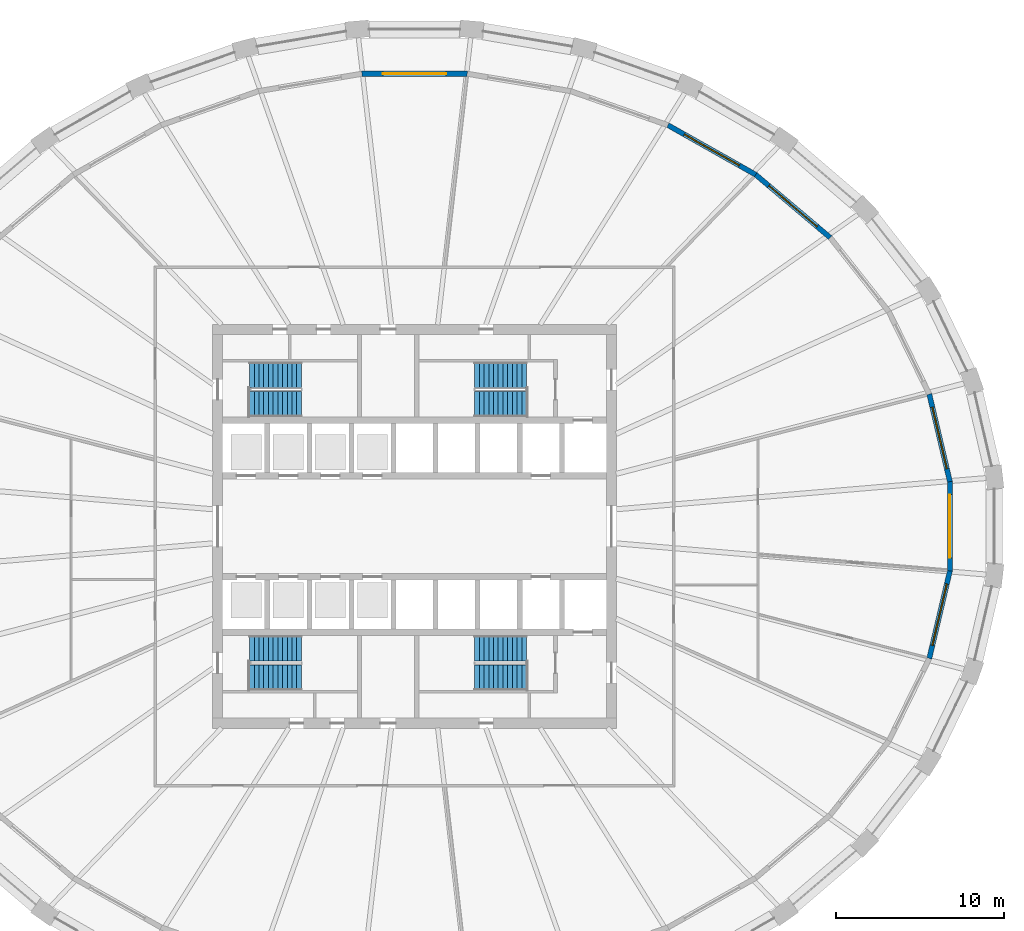
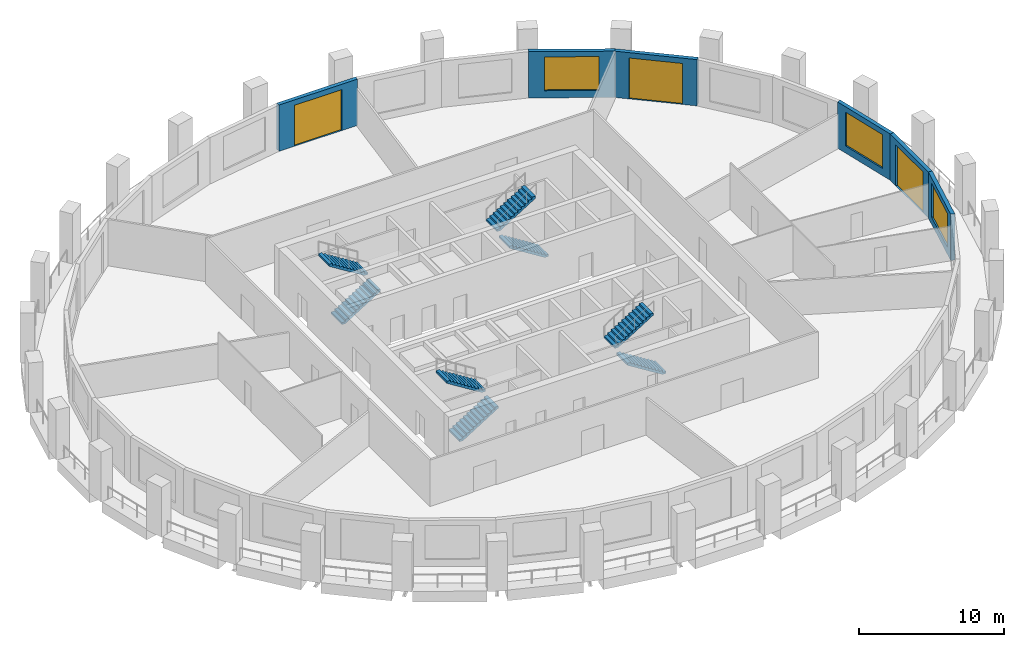
# One storey, part 7 of 10: 8 stair flights, 6 walls, 3 doors, 3 windows, 6 openings, 4 elements without a shape of their own.
"""IFC4 building model written with IfcOpenShell, lengths in metres."""

from ifc_helpers import new_model, si_unit, direction, frame, frame_2d, origin, place, context, subcontext, project, spatial, polyline, rectangle, outline, extrude, material, layer, layer_set, type_object, element, fill, aggregate, save


model = new_model("IFC4")

# Units and contexts
model_context = context("Model", 3, precision=1e-05, world=origin(), true_north=direction((0.0, 1.0)))
body_context = subcontext(model_context, "Body", "Model", "MODEL_VIEW")
ifc_project = project(units=[si_unit("LENGTHUNIT", "METRE"), si_unit("AREAUNIT", "SQUARE_METRE"), si_unit("VOLUMEUNIT", "CUBIC_METRE"), si_unit("PLANEANGLEUNIT", "RADIAN"), si_unit("MASSUNIT", "GRAM", prefix="KILO")], contexts=[model_context])

# Site, building, storey
site_placement = place(None, origin())
site = spatial("IfcSite", under=ifc_project, at=site_placement, CompositionType="ELEMENT")
building_placement = place(site_placement, origin())
building = spatial("IfcBuilding", under=site, at=building_placement, Name="Halqa Exchange Tower", CompositionType="ELEMENT")
storey_placement = place(building_placement, frame((0.0, 0.0, 133.89990234375)))
storey = spatial("IfcBuildingStorey", under=building, at=storey_placement, Name="L30", CompositionType="ELEMENT", Elevation=133.89990234375)

# Wall, opening, window
ifc_material_1 = material(Name="Limestone cladding", Category="masonry")
ifc_layer_1 = layer(ifc_material_1, 0.0400390625)
ifc_material_2 = material(Name="Ventilated cavity")
ifc_layer_2 = layer(ifc_material_2, 0.030029296875, ventilated=True)
ifc_material_3 = material(Name="Mineral wool insulation")
ifc_layer_3 = layer(ifc_material_3, 0.10009765625)
ifc_material_4 = material(Name="Concrete C30/37", Category="concrete")
ifc_layer_4 = layer(ifc_material_4, 0.10009765625)
ifc_material_5 = material(Name="Internal plaster")
ifc_layer_5 = layer(ifc_material_5, 0.030029296875)
ifc_layer_set = layer_set([ifc_layer_1, ifc_layer_2, ifc_layer_3, ifc_layer_4, ifc_layer_5], Name="Stone-faced insulated wall 300")
wall_type = type_object("IfcWallType", Name="Stone-faced insulated wall 300", PredefinedType="STANDARD", material=ifc_layer_set)
wall_1_placement = place(storey_placement, frame((31.802001953125, 2.650390625, 0.0), z_axis=(0.0, 0.0, 1.0), x_axis=(-0.229227895667, 0.973372781543, 0.0)))
wall_1 = element("IfcWall", 1, at=wall_1_placement, inside=storey, type_object=wall_type, Name="Glass-line wall 1", PredefinedType="STANDARD", context=body_context, shape_type="SweptSolid", body=[
    extrude(outline(polyline([(-0.017333984375, -0.14990234375), (5.35693359375, -0.14990234375), (5.3232421875, 0.14990234375), (0.017333984375, 0.14990234375), (-0.017333984375, -0.14990234375)])), origin(), (0.0, 0.0, 1.0), 3.900146484375),
])
opening_1_placement = place(wall_1_placement, frame((0.795166015625, 0.0, 0.60009765625)))
opening_1 = element("IfcOpeningElement", 2, at=opening_1_placement, cuts=wall_1, Name="Opening W-F2-01", PredefinedType="OPENING", context=body_context, shape_type="SweptSolid", body=[
    extrude(rectangle(XDim=3.75, YDim=2.85009765625, at=frame_2d((1.875, 1.425048828125))), frame((0.0, 0.162109375, 0.0), z_axis=(0.0, -1.0, 0.0), x_axis=(1.0, 0.0, 0.0)), (0.0, 0.0, 1.0), 0.323974609375),
])
ifc_material_6 = material(Name="Clear low-emissivity glass in aluminium frame", Category="aluminium")
window_type = type_object("IfcWindowType", Name="Fixed clear glazed window 3750 x 2850", PartitioningType="TRIPLE_PANEL_VERTICAL", PredefinedType="WINDOW", material=ifc_material_6)
window_1_placement = place(opening_1_placement, origin())
window_1 = element("IfcWindow", 3, at=window_1_placement, inside=storey, type_object=window_type, Name="Window 2", OverallHeight=2.85009765625, OverallWidth=3.75, PartitioningType="TRIPLE_PANEL_VERTICAL", PredefinedType="WINDOW", context=body_context, shape_type="SweptSolid", body=[
    extrude(rectangle(XDim=3.75, YDim=2.85009765625, at=frame_2d((1.875, 1.425048828125))), frame((0.0, 0.030029296875, 0.0), z_axis=(0.0, -1.0, 0.0), x_axis=(1.0, 0.0, 0.0)), (0.0, 0.0, 1.0), 0.06005859375),
])
fill(opening_1, window_1)

# Wall, opening, door
wall_2_placement = place(storey_placement, frame((24.694091796875, 17.145751953125, 0.0), z_axis=(0.0, 0.0, 1.0), x_axis=(-0.763963973896, 0.645258898884, 0.0)))
wall_2 = element("IfcWall", 4, at=wall_2_placement, inside=storey, type_object=wall_type, Name="Glass-line wall 4", PredefinedType="STANDARD", context=body_context, shape_type="SweptSolid", body=[
    extrude(outline(polyline([(-0.01513671875, -0.14990234375), (5.81396484375, -0.14990234375), (5.78564453125, 0.14990234375), (0.01513671875, 0.14990234375), (-0.01513671875, -0.14990234375)])), origin(), (0.0, 0.0, 1.0), 3.900146484375),
])
opening_2_placement = place(wall_2_placement, frame((1.02490234375, 0.0, 0.0)))
opening_2 = element("IfcOpeningElement", 5, at=opening_2_placement, cuts=wall_2, Name="Opening LG-F2-01", PredefinedType="OPENING", context=body_context, shape_type="SweptSolid", body=[
    extrude(rectangle(XDim=3.75, YDim=3.449951171875, at=frame_2d((1.875, 1.72509765625))), frame((0.0, 0.162109375, 0.0), z_axis=(0.0, -1.0, 0.0), x_axis=(1.0, 0.0, 0.0)), (0.0, 0.0, 1.0), 0.323974609375),
])
door_type = type_object("IfcDoorType", Name="Glazed sliding loggia door 3750 x 3450", OperationType="DOUBLE_DOOR_SLIDING", PredefinedType="DOOR", material=ifc_material_6)
door_1_placement = place(opening_2_placement, origin())
door_1 = element("IfcDoor", 6, at=door_1_placement, inside=storey, type_object=door_type, Name="Loggia door 1", OperationType="DOUBLE_DOOR_SLIDING", OverallHeight=3.449951171875, OverallWidth=3.75, PredefinedType="DOOR", context=body_context, shape_type="SweptSolid", body=[
    extrude(rectangle(XDim=3.75, YDim=3.449951171875, at=frame_2d((1.875, 1.72509765625))), frame((0.0, 0.02490234375, 0.0), z_axis=(0.0, -1.0, 0.0), x_axis=(1.0, 0.0, 0.0)), (0.0, 0.0, 1.0), 0.050048828125),
])
fill(opening_2, door_1)

# Wall, opening, window
wall_3_placement = place(storey_placement, frame((20.26318359375, 20.88818359375, 0.0), z_axis=(0.0, 0.0, 1.0), x_axis=(-0.87090857883, 0.491445060327, 0.0)))
wall_3 = element("IfcWall", 7, at=wall_3_placement, inside=storey, type_object=wall_type, Name="Glass-line wall 5", PredefinedType="STANDARD", context=body_context, shape_type="SweptSolid", body=[
    extrude(outline(polyline([(-0.01416015625, -0.14990234375), (5.99365234375, -0.14990234375), (5.966796875, 0.14990234375), (0.01416015625, 0.14990234375), (-0.01416015625, -0.14990234375)])), origin(), (0.0, 0.0, 1.0), 3.900146484375),
])
opening_3_placement = place(wall_3_placement, frame((1.114990234375, 0.0, 0.60009765625)))
opening_3 = element("IfcOpeningElement", 8, at=opening_3_placement, cuts=wall_3, Name="Opening W-F2-05", PredefinedType="OPENING", context=body_context, shape_type="SweptSolid", body=[
    extrude(rectangle(XDim=3.75, YDim=2.85009765625, at=frame_2d((1.875, 1.425048828125))), frame((0.0, 0.162109375, 0.0), z_axis=(0.0, -1.0, 0.0), x_axis=(1.0, 0.0, 0.0)), (0.0, 0.0, 1.0), 0.323974609375),
])
window_2_placement = place(opening_3_placement, origin())
window_2 = element("IfcWindow", 9, at=window_2_placement, inside=storey, type_object=window_type, Name="Window 2", OverallHeight=2.85009765625, OverallWidth=3.75, PartitioningType="TRIPLE_PANEL_VERTICAL", PredefinedType="WINDOW", context=body_context, shape_type="SweptSolid", body=[
    extrude(rectangle(XDim=3.75, YDim=2.85009765625, at=frame_2d((1.875, 1.425048828125))), frame((0.0, 0.030029296875, 0.0), z_axis=(0.0, -1.0, 0.0), x_axis=(1.0, 0.0, 0.0)), (0.0, 0.0, 1.0), 0.06005859375),
])
fill(opening_3, window_2)

# Wall, opening, door
wall_4_placement = place(storey_placement, frame((3.1298828125, 26.88232421875, 0.0), z_axis=(0.0, 0.0, 1.0), x_axis=(-1.0, 0.0, 0.0)))
wall_4 = element("IfcWall", 10, at=wall_4_placement, inside=storey, type_object=wall_type, Name="Glass-line wall 8", PredefinedType="STANDARD", context=body_context, shape_type="SweptSolid", body=[
    extrude(outline(polyline([(-0.012451171875, -0.14990234375), (6.272216796875, -0.14990234375), (6.247314453125, 0.14990234375), (0.012451171875, 0.14990234375), (-0.012451171875, -0.14990234375)])), origin(), (0.0, 0.0, 1.0), 3.900146484375),
])
opening_4_placement = place(wall_4_placement, frame((1.2548828125, 0.0, 0.0)))
opening_4 = element("IfcOpeningElement", 11, at=opening_4_placement, cuts=wall_4, Name="Opening LG-F2-02", PredefinedType="OPENING", context=body_context, shape_type="SweptSolid", body=[
    extrude(rectangle(XDim=3.75, YDim=3.449951171875, at=frame_2d((1.875, 1.72509765625))), frame((0.0, 0.162109375, 0.0), z_axis=(0.0, -1.0, 0.0), x_axis=(1.0, 0.0, 0.0)), (0.0, 0.0, 1.0), 0.323974609375),
])
door_2_placement = place(opening_4_placement, origin())
door_2 = element("IfcDoor", 12, at=door_2_placement, inside=storey, type_object=door_type, Name="Loggia door 2", OperationType="DOUBLE_DOOR_SLIDING", OverallHeight=3.449951171875, OverallWidth=3.75, PredefinedType="DOOR", context=body_context, shape_type="SweptSolid", body=[
    extrude(rectangle(XDim=3.75, YDim=3.449951171875, at=frame_2d((1.875, 1.72509765625))), frame((0.0, 0.02490234375, 0.0), z_axis=(0.0, -1.0, 0.0), x_axis=(1.0, 0.0, 0.0)), (0.0, 0.0, 1.0), 0.050048828125),
])
fill(opening_4, door_2)

# Wall, opening, window
wall_5_placement = place(storey_placement, frame((30.577880859375, -7.848388671875, 0.0), z_axis=(0.0, 0.0, 1.0), x_axis=(0.229227895667, 0.973372781543, 0.0)))
wall_5 = element("IfcWall", 13, at=wall_5_placement, inside=storey, type_object=wall_type, Name="Glass-line wall 31", PredefinedType="STANDARD", context=body_context, shape_type="SweptSolid", body=[
    extrude(outline(polyline([(-0.016845703125, -0.14990234375), (5.357421875, -0.14990234375), (5.32275390625, 0.14990234375), (0.016845703125, 0.14990234375), (-0.016845703125, -0.14990234375)])), origin(), (0.0, 0.0, 1.0), 3.900146484375),
])
opening_5_placement = place(wall_5_placement, frame((0.795166015625, 0.0, 0.60009765625)))
opening_5 = element("IfcOpeningElement", 14, at=opening_5_placement, cuts=wall_5, Name="Opening W-F2-31", PredefinedType="OPENING", context=body_context, shape_type="SweptSolid", body=[
    extrude(rectangle(XDim=3.75, YDim=2.85009765625, at=frame_2d((1.875, 1.425048828125))), frame((0.0, 0.162109375, 0.0), z_axis=(0.0, -1.0, 0.0), x_axis=(1.0, 0.0, 0.0)), (0.0, 0.0, 1.0), 0.323974609375),
])
window_3_placement = place(opening_5_placement, origin())
window_3 = element("IfcWindow", 15, at=window_3_placement, inside=storey, type_object=window_type, Name="Window 2", OverallHeight=2.85009765625, OverallWidth=3.75, PartitioningType="TRIPLE_PANEL_VERTICAL", PredefinedType="WINDOW", context=body_context, shape_type="SweptSolid", body=[
    extrude(rectangle(XDim=3.75, YDim=2.85009765625, at=frame_2d((1.875, 1.425048828125))), frame((0.0, 0.030029296875, 0.0), z_axis=(0.0, -1.0, 0.0), x_axis=(1.0, 0.0, 0.0)), (0.0, 0.0, 1.0), 0.06005859375),
])
fill(opening_5, window_3)

# Wall, opening, door
wall_6_placement = place(storey_placement, frame((31.802001953125, -2.650390625, 0.0), z_axis=(0.0, 0.0, 1.0), x_axis=(0.0, 1.0, 0.0)))
wall_6 = element("IfcWall", 16, at=wall_6_placement, inside=storey, type_object=wall_type, Name="Glass-line wall 32", PredefinedType="STANDARD", context=body_context, shape_type="SweptSolid", body=[
    extrude(outline(polyline([(-0.017333984375, -0.14990234375), (5.318115234375, -0.14990234375), (5.283447265625, 0.14990234375), (0.017333984375, 0.14990234375), (-0.017333984375, -0.14990234375)])), origin(), (0.0, 0.0, 1.0), 3.900146484375),
])
opening_6_placement = place(wall_6_placement, frame((0.775390625, 0.0, 0.0)))
opening_6 = element("IfcOpeningElement", 17, at=opening_6_placement, cuts=wall_6, Name="Opening LG-F2-08", PredefinedType="OPENING", context=body_context, shape_type="SweptSolid", body=[
    extrude(rectangle(XDim=3.75, YDim=3.449951171875, at=frame_2d((1.875, 1.72509765625))), frame((0.0, 0.162109375, 0.0), z_axis=(0.0, -1.0, 0.0), x_axis=(1.0, 0.0, 0.0)), (0.0, 0.0, 1.0), 0.323974609375),
])
door_3_placement = place(opening_6_placement, origin())
door_3 = element("IfcDoor", 18, at=door_3_placement, inside=storey, type_object=door_type, Name="Loggia door 8", OperationType="DOUBLE_DOOR_SLIDING", OverallHeight=3.449951171875, OverallWidth=3.75, PredefinedType="DOOR", context=body_context, shape_type="SweptSolid", body=[
    extrude(rectangle(XDim=3.75, YDim=3.449951171875, at=frame_2d((1.875, 1.72509765625))), frame((0.0, 0.02490234375, 0.0), z_axis=(0.0, -1.0, 0.0), x_axis=(1.0, 0.0, 0.0)), (0.0, 0.0, 1.0), 0.050048828125),
])
fill(opening_6, door_3)

# Stair, stair flights
stair_type = type_object("IfcStairType", Name="Exit stair 1500 wide", PredefinedType="HALF_TURN_STAIR", material=ifc_material_4)
stair_1_placement = place(storey_placement, origin())
stair_1 = element("IfcStair", 19, at=stair_1_placement, inside=storey, type_object=stair_type, Name="Exit stair ST1", PredefinedType="HALF_TURN_STAIR")
stair_flight_type = type_object("IfcStairFlightType", Name="Stair flight 1500 wide", PredefinedType="STRAIGHT", material=ifc_material_4)
stair_flight_1_placement = place(storey_placement, frame((-9.800048828125, 7.25, 0.0), z_axis=(0.0, 0.0, 1.0), x_axis=(1.0, 0.0, 0.0)))
stair_flight_1 = element("IfcStairFlight", 20, at=stair_flight_1_placement, type_object=stair_flight_type, Name="ST1 flight 1", NumberOfRisers=12, NumberOfTreads=11, PredefinedType="STRAIGHT", RiserHeight=0.175, TreadLength=0.28, context=body_context, shape_type="SweptSolid", body=[
    extrude(outline(polyline([(0.0, 0.0), (0.0, 0.175048828125), (0.280029296875, 0.175048828125), (0.280029296875, 0.35009765625), (0.56005859375, 0.35009765625), (0.56005859375, 0.52490234375), (0.840087890625, 0.52490234375), (0.840087890625, 0.699951171875), (1.1201171875, 0.699951171875), (1.1201171875, 0.875), (1.39990234375, 0.875), (1.39990234375, 1.050048828125), (1.679931640625, 1.050048828125), (1.679931640625, 1.22509765625), (1.9599609375, 1.22509765625), (1.9599609375, 1.39990234375), (2.239990234375, 1.39990234375), (2.239990234375, 1.574951171875), (2.52001953125, 1.574951171875), (2.52001953125, 1.75), (2.800048828125, 1.75), (2.800048828125, 1.925048828125), (3.080078125, 1.925048828125), (3.080078125, 2.10009765625), (3.080078125, 1.748291015625), (0.28271484375, 0.0), (0.0, 0.0)])), frame((0.0, 0.75, 0.0), z_axis=(0.0, -1.0, 0.0), x_axis=(1.0, 0.0, 0.0)), (0.0, 0.0, 1.0), 1.5),
])
stair_flight_2_placement = place(storey_placement, frame((-6.719970703125, 9.0, 2.10009765625), z_axis=(0.0, 0.0, 1.0), x_axis=(-1.0, 0.0, 0.0)))
stair_flight_2 = element("IfcStairFlight", 21, at=stair_flight_2_placement, type_object=stair_flight_type, Name="ST1 flight 2", NumberOfRisers=12, NumberOfTreads=11, PredefinedType="STRAIGHT", RiserHeight=0.175, TreadLength=0.28, context=body_context, shape_type="SweptSolid", body=[
    extrude(outline(polyline([(0.0, 0.0), (0.0, 0.175048828125), (0.280029296875, 0.175048828125), (0.280029296875, 0.35009765625), (0.56005859375, 0.35009765625), (0.56005859375, 0.52490234375), (0.840087890625, 0.52490234375), (0.840087890625, 0.699951171875), (1.1201171875, 0.699951171875), (1.1201171875, 0.875), (1.39990234375, 0.875), (1.39990234375, 1.050048828125), (1.679931640625, 1.050048828125), (1.679931640625, 1.22509765625), (1.9599609375, 1.22509765625), (1.9599609375, 1.39990234375), (2.239990234375, 1.39990234375), (2.239990234375, 1.574951171875), (2.52001953125, 1.574951171875), (2.52001953125, 1.75), (2.800048828125, 1.75), (2.800048828125, 1.925048828125), (3.080078125, 1.925048828125), (3.080078125, 2.10009765625), (3.080078125, 1.748291015625), (0.28271484375, 0.0), (0.0, 0.0)])), frame((0.0, 0.75, 0.0), z_axis=(0.0, -1.0, 0.0), x_axis=(1.0, 0.0, 0.0)), (0.0, 0.0, 1.0), 1.5),
])
aggregate(stair_1, [stair_flight_1, stair_flight_2])

stair_2_placement = place(storey_placement, origin())
stair_2 = element("IfcStair", 22, at=stair_2_placement, inside=storey, type_object=stair_type, Name="Exit stair ST2", PredefinedType="HALF_TURN_STAIR")
stair_flight_3_placement = place(storey_placement, frame((6.64990234375, 7.25, 0.0), z_axis=(0.0, 0.0, 1.0), x_axis=(-1.0, 0.0, 0.0)))
stair_flight_3 = element("IfcStairFlight", 23, at=stair_flight_3_placement, type_object=stair_flight_type, Name="ST2 flight 1", NumberOfRisers=12, NumberOfTreads=11, PredefinedType="STRAIGHT", RiserHeight=0.175, TreadLength=0.28, context=body_context, shape_type="SweptSolid", body=[
    extrude(outline(polyline([(0.0, 0.0), (0.0, 0.175048828125), (0.280029296875, 0.175048828125), (0.280029296875, 0.35009765625), (0.56005859375, 0.35009765625), (0.56005859375, 0.52490234375), (0.840087890625, 0.52490234375), (0.840087890625, 0.699951171875), (1.1201171875, 0.699951171875), (1.1201171875, 0.875), (1.39990234375, 0.875), (1.39990234375, 1.050048828125), (1.679931640625, 1.050048828125), (1.679931640625, 1.22509765625), (1.9599609375, 1.22509765625), (1.9599609375, 1.39990234375), (2.239990234375, 1.39990234375), (2.239990234375, 1.574951171875), (2.52001953125, 1.574951171875), (2.52001953125, 1.75), (2.800048828125, 1.75), (2.800048828125, 1.925048828125), (3.080078125, 1.925048828125), (3.080078125, 2.10009765625), (3.080078125, 1.748291015625), (0.28271484375, 0.0), (0.0, 0.0)])), frame((0.0, 0.75, 0.0), z_axis=(0.0, -1.0, 0.0), x_axis=(1.0, 0.0, 0.0)), (0.0, 0.0, 1.0), 1.5),
])
stair_flight_4_placement = place(storey_placement, frame((3.570068359375, 9.0, 2.10009765625), z_axis=(0.0, 0.0, 1.0), x_axis=(1.0, 0.0, 0.0)))
stair_flight_4 = element("IfcStairFlight", 24, at=stair_flight_4_placement, type_object=stair_flight_type, Name="ST2 flight 2", NumberOfRisers=12, NumberOfTreads=11, PredefinedType="STRAIGHT", RiserHeight=0.175, TreadLength=0.28, context=body_context, shape_type="SweptSolid", body=[
    extrude(outline(polyline([(0.0, 0.0), (0.0, 0.175048828125), (0.280029296875, 0.175048828125), (0.280029296875, 0.35009765625), (0.56005859375, 0.35009765625), (0.56005859375, 0.52490234375), (0.840087890625, 0.52490234375), (0.840087890625, 0.699951171875), (1.1201171875, 0.699951171875), (1.1201171875, 0.875), (1.39990234375, 0.875), (1.39990234375, 1.050048828125), (1.679931640625, 1.050048828125), (1.679931640625, 1.22509765625), (1.9599609375, 1.22509765625), (1.9599609375, 1.39990234375), (2.239990234375, 1.39990234375), (2.239990234375, 1.574951171875), (2.52001953125, 1.574951171875), (2.52001953125, 1.75), (2.800048828125, 1.75), (2.800048828125, 1.925048828125), (3.080078125, 1.925048828125), (3.080078125, 2.10009765625), (3.080078125, 1.748291015625), (0.28271484375, 0.0), (0.0, 0.0)])), frame((0.0, 0.75, 0.0), z_axis=(0.0, -1.0, 0.0), x_axis=(1.0, 0.0, 0.0)), (0.0, 0.0, 1.0), 1.5),
])
aggregate(stair_2, [stair_flight_3, stair_flight_4])

stair_3_placement = place(storey_placement, origin())
stair_3 = element("IfcStair", 25, at=stair_3_placement, inside=storey, type_object=stair_type, Name="Exit stair ST3", PredefinedType="HALF_TURN_STAIR")
stair_flight_5_placement = place(storey_placement, frame((-9.800048828125, -9.0, 0.0), z_axis=(0.0, 0.0, 1.0), x_axis=(1.0, 0.0, 0.0)))
stair_flight_5 = element("IfcStairFlight", 26, at=stair_flight_5_placement, type_object=stair_flight_type, Name="ST3 flight 1", NumberOfRisers=12, NumberOfTreads=11, PredefinedType="STRAIGHT", RiserHeight=0.175, TreadLength=0.28, context=body_context, shape_type="SweptSolid", body=[
    extrude(outline(polyline([(0.0, 0.0), (0.0, 0.175048828125), (0.280029296875, 0.175048828125), (0.280029296875, 0.35009765625), (0.56005859375, 0.35009765625), (0.56005859375, 0.52490234375), (0.840087890625, 0.52490234375), (0.840087890625, 0.699951171875), (1.1201171875, 0.699951171875), (1.1201171875, 0.875), (1.39990234375, 0.875), (1.39990234375, 1.050048828125), (1.679931640625, 1.050048828125), (1.679931640625, 1.22509765625), (1.9599609375, 1.22509765625), (1.9599609375, 1.39990234375), (2.239990234375, 1.39990234375), (2.239990234375, 1.574951171875), (2.52001953125, 1.574951171875), (2.52001953125, 1.75), (2.800048828125, 1.75), (2.800048828125, 1.925048828125), (3.080078125, 1.925048828125), (3.080078125, 2.10009765625), (3.080078125, 1.748291015625), (0.28271484375, 0.0), (0.0, 0.0)])), frame((0.0, 0.75, 0.0), z_axis=(0.0, -1.0, 0.0), x_axis=(1.0, 0.0, 0.0)), (0.0, 0.0, 1.0), 1.5),
])
stair_flight_6_placement = place(storey_placement, frame((-6.719970703125, -7.25, 2.10009765625), z_axis=(0.0, 0.0, 1.0), x_axis=(-1.0, 0.0, 0.0)))
stair_flight_6 = element("IfcStairFlight", 27, at=stair_flight_6_placement, type_object=stair_flight_type, Name="ST3 flight 2", NumberOfRisers=12, NumberOfTreads=11, PredefinedType="STRAIGHT", RiserHeight=0.175, TreadLength=0.28, context=body_context, shape_type="SweptSolid", body=[
    extrude(outline(polyline([(0.0, 0.0), (0.0, 0.175048828125), (0.280029296875, 0.175048828125), (0.280029296875, 0.35009765625), (0.56005859375, 0.35009765625), (0.56005859375, 0.52490234375), (0.840087890625, 0.52490234375), (0.840087890625, 0.699951171875), (1.1201171875, 0.699951171875), (1.1201171875, 0.875), (1.39990234375, 0.875), (1.39990234375, 1.050048828125), (1.679931640625, 1.050048828125), (1.679931640625, 1.22509765625), (1.9599609375, 1.22509765625), (1.9599609375, 1.39990234375), (2.239990234375, 1.39990234375), (2.239990234375, 1.574951171875), (2.52001953125, 1.574951171875), (2.52001953125, 1.75), (2.800048828125, 1.75), (2.800048828125, 1.925048828125), (3.080078125, 1.925048828125), (3.080078125, 2.10009765625), (3.080078125, 1.748291015625), (0.28271484375, 0.0), (0.0, 0.0)])), frame((0.0, 0.75, 0.0), z_axis=(0.0, -1.0, 0.0), x_axis=(1.0, 0.0, 0.0)), (0.0, 0.0, 1.0), 1.5),
])
aggregate(stair_3, [stair_flight_5, stair_flight_6])

stair_4_placement = place(storey_placement, origin())
stair_4 = element("IfcStair", 28, at=stair_4_placement, inside=storey, type_object=stair_type, Name="Exit stair ST4", PredefinedType="HALF_TURN_STAIR")
stair_flight_7_placement = place(storey_placement, frame((6.64990234375, -9.0, 0.0), z_axis=(0.0, 0.0, 1.0), x_axis=(-1.0, 0.0, 0.0)))
stair_flight_7 = element("IfcStairFlight", 29, at=stair_flight_7_placement, type_object=stair_flight_type, Name="ST4 flight 1", NumberOfRisers=12, NumberOfTreads=11, PredefinedType="STRAIGHT", RiserHeight=0.175, TreadLength=0.28, context=body_context, shape_type="SweptSolid", body=[
    extrude(outline(polyline([(0.0, 0.0), (0.0, 0.175048828125), (0.280029296875, 0.175048828125), (0.280029296875, 0.35009765625), (0.56005859375, 0.35009765625), (0.56005859375, 0.52490234375), (0.840087890625, 0.52490234375), (0.840087890625, 0.699951171875), (1.1201171875, 0.699951171875), (1.1201171875, 0.875), (1.39990234375, 0.875), (1.39990234375, 1.050048828125), (1.679931640625, 1.050048828125), (1.679931640625, 1.22509765625), (1.9599609375, 1.22509765625), (1.9599609375, 1.39990234375), (2.239990234375, 1.39990234375), (2.239990234375, 1.574951171875), (2.52001953125, 1.574951171875), (2.52001953125, 1.75), (2.800048828125, 1.75), (2.800048828125, 1.925048828125), (3.080078125, 1.925048828125), (3.080078125, 2.10009765625), (3.080078125, 1.748291015625), (0.28271484375, 0.0), (0.0, 0.0)])), frame((0.0, 0.75, 0.0), z_axis=(0.0, -1.0, 0.0), x_axis=(1.0, 0.0, 0.0)), (0.0, 0.0, 1.0), 1.5),
])
stair_flight_8_placement = place(storey_placement, frame((3.570068359375, -7.25, 2.10009765625), z_axis=(0.0, 0.0, 1.0), x_axis=(1.0, 0.0, 0.0)))
stair_flight_8 = element("IfcStairFlight", 30, at=stair_flight_8_placement, type_object=stair_flight_type, Name="ST4 flight 2", NumberOfRisers=12, NumberOfTreads=11, PredefinedType="STRAIGHT", RiserHeight=0.175, TreadLength=0.28, context=body_context, shape_type="SweptSolid", body=[
    extrude(outline(polyline([(0.0, 0.0), (0.0, 0.175048828125), (0.280029296875, 0.175048828125), (0.280029296875, 0.35009765625), (0.56005859375, 0.35009765625), (0.56005859375, 0.52490234375), (0.840087890625, 0.52490234375), (0.840087890625, 0.699951171875), (1.1201171875, 0.699951171875), (1.1201171875, 0.875), (1.39990234375, 0.875), (1.39990234375, 1.050048828125), (1.679931640625, 1.050048828125), (1.679931640625, 1.22509765625), (1.9599609375, 1.22509765625), (1.9599609375, 1.39990234375), (2.239990234375, 1.39990234375), (2.239990234375, 1.574951171875), (2.52001953125, 1.574951171875), (2.52001953125, 1.75), (2.800048828125, 1.75), (2.800048828125, 1.925048828125), (3.080078125, 1.925048828125), (3.080078125, 2.10009765625), (3.080078125, 1.748291015625), (0.28271484375, 0.0), (0.0, 0.0)])), frame((0.0, 0.75, 0.0), z_axis=(0.0, -1.0, 0.0), x_axis=(1.0, 0.0, 0.0)), (0.0, 0.0, 1.0), 1.5),
])
aggregate(stair_4, [stair_flight_7, stair_flight_8])

save(model, "model.ifc")
